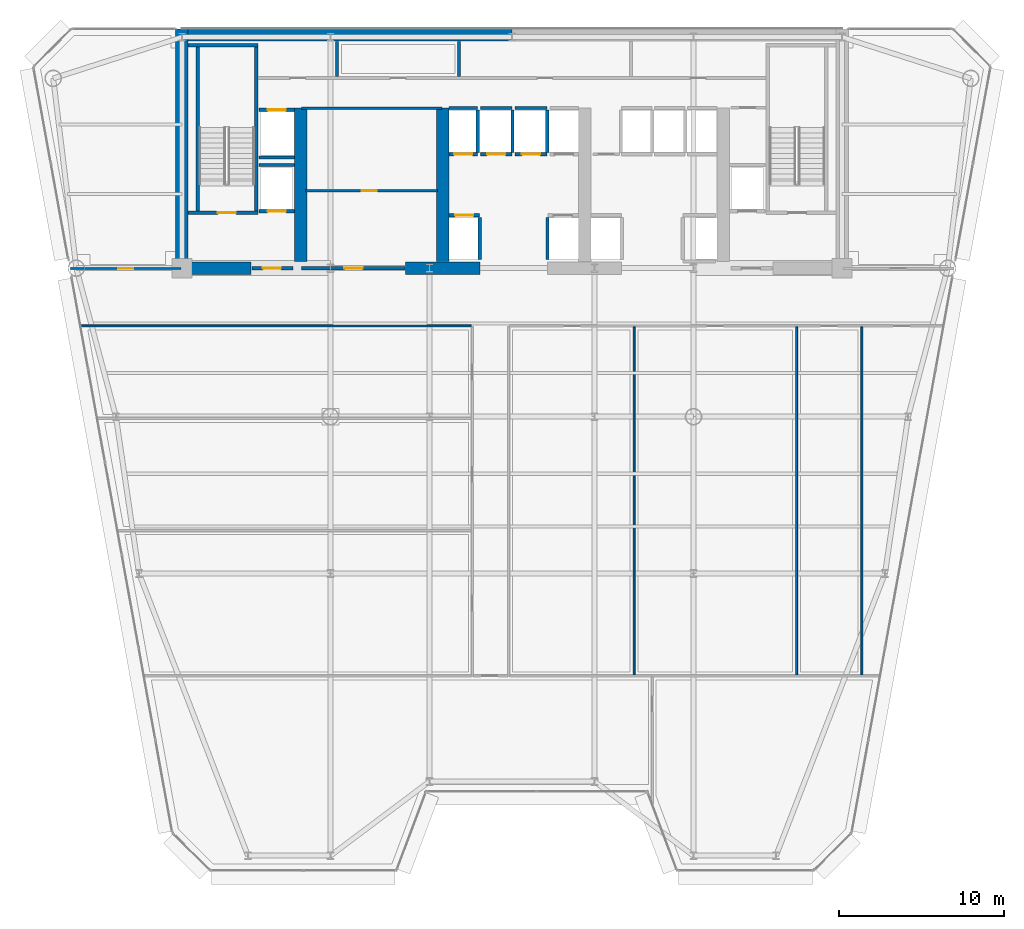
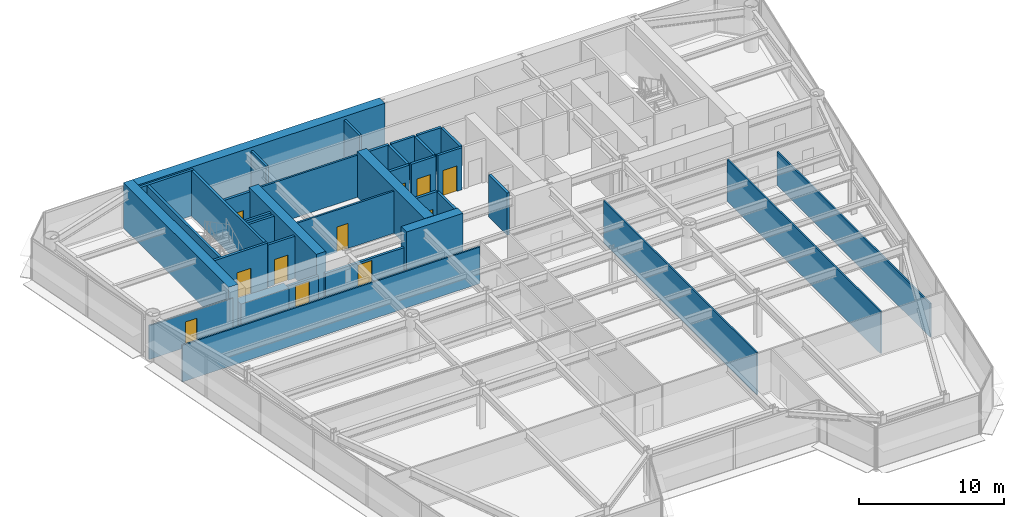
# One storey, part 8 of 14: 37 walls, 11 doors, 11 openings.
"""IFC4 building model written with IfcOpenShell, lengths in metres."""

from ifc_helpers import new_model, si_unit, direction, frame, frame_2d, origin, place, context, subcontext, project, spatial, rectangle, extrude, source, transform, mapped, material, layer, layer_set, type_object, element, fill, save


model = new_model("IFC4")

# Units and contexts
model_context = context("Model", 3, precision=1e-05, world=origin(), true_north=direction((0.0, 1.0)))
body_context = subcontext(model_context, "Body", "Model", "MODEL_VIEW")
ifc_project = project(units=[si_unit("LENGTHUNIT", "METRE"), si_unit("AREAUNIT", "SQUARE_METRE"), si_unit("VOLUMEUNIT", "CUBIC_METRE"), si_unit("PLANEANGLEUNIT", "RADIAN"), si_unit("MASSUNIT", "GRAM", prefix="KILO")], contexts=[model_context])

# Site, building, storey
site_placement = place(None, origin())
site = spatial("IfcSite", under=ifc_project, at=site_placement, CompositionType="ELEMENT")
building_placement = place(site_placement, origin())
building = spatial("IfcBuilding", under=site, at=building_placement, Name="Vaeldorn Concourse Tower", CompositionType="ELEMENT")
storey_placement = place(building_placement, frame((0.0, 0.0, 145.199951171875)))
storey = spatial("IfcBuildingStorey", under=building, at=storey_placement, Name="L37", CompositionType="ELEMENT", Elevation=145.199951171875)

# Walls
ifc_material_1 = material(Name="Concrete C60/75", Category="concrete")
ifc_layer_1 = layer(ifc_material_1, 0.75)
ifc_layer_set_1 = layer_set([ifc_layer_1], Name="Concrete C60/75")
wall_type_1 = type_object("IfcWallType", Name="WL-CORE-750", PredefinedType="SHEAR", material=ifc_layer_set_1)
wall_1_placement = place(storey_placement, frame((14.37890625, 50.625, 0.0), z_axis=(0.0, 0.0, 1.0), x_axis=(1.0, 0.0, 0.0)))
element("IfcWall", 1, at=wall_1_placement, inside=storey, type_object=wall_type_1, Name="Rear Core Shear Wall L37 N1", PredefinedType="SHEAR", context=body_context, shape_type="SweptSolid", body=[
    extrude(rectangle(XDim=19.619140625, YDim=0.75, at=frame_2d((9.8095703125, 0.0))), origin(), (0.0, 0.0, 1.0), 3.800048828125),
])
wall_2_placement = place(storey_placement, frame((14.0, 36.5, 0.0), z_axis=(0.0, 0.0, 1.0), x_axis=(0.0, 1.0, 0.0)))
element("IfcWall", 2, at=wall_2_placement, inside=storey, type_object=wall_type_1, Name="Rear Core Shear Wall L37 W1", PredefinedType="SHEAR", context=body_context, shape_type="SweptSolid", body=[
    extrude(rectangle(XDim=14.5, YDim=0.75, at=frame_2d((7.25, 0.0))), origin(), (0.0, 0.0, 1.0), 3.800048828125),
])
wall_3_placement = place(storey_placement, frame((14.39501953125, 36.5, 0.0), z_axis=(0.0, 0.0, 1.0), x_axis=(1.0, 0.0, 0.0)))
element("IfcWall", 3, at=wall_3_placement, inside=storey, type_object=wall_type_1, Name="Rear Core Shear Wall L37 S1", PredefinedType="SHEAR", context=body_context, shape_type="SweptSolid", body=[
    extrude(rectangle(XDim=3.804931640625, YDim=0.75, at=frame_2d((1.90234375, 0.0))), origin(), (0.0, 0.0, 1.0), 2.340087890625),
])
wall_4_placement = place(storey_placement, frame((27.550048828125, 36.5, 0.0), z_axis=(0.0, 0.0, 1.0), x_axis=(1.0, 0.0, 0.0)))
element("IfcWall", 4, at=wall_4_placement, inside=storey, type_object=wall_type_1, Name="Rear Core Shear Wall L37 S2", PredefinedType="SHEAR", context=body_context, shape_type="SweptSolid", body=[
    extrude(rectangle(XDim=4.5, YDim=0.75, at=frame_2d((2.25, 0.0))), origin(), (0.0, 0.0, 1.0), 3.800048828125),
])
for number, where, z_axis, x_axis, name in (
    (5, (21.199951171875, 36.89501953125, 0.0), (0.0, 0.0, 1.0), (0.0, 1.0, 0.0), "Rear Core Shear Wall L37 M1"),
    (6, (29.800048828125, 36.89501953125, 0.0), (0.0, 0.0, 1.0), (0.0, 1.0, 0.0), "Rear Core Shear Wall L37 M2"),
):
    element("IfcWall", number, at=place(storey_placement, frame(where, z_axis=z_axis, x_axis=x_axis)), inside=storey, type_object=wall_type_1, Name=name, PredefinedType="SHEAR", context=body_context, shape_type="SweptSolid", body=[
        extrude(rectangle(XDim=9.304931640625, YDim=0.75, at=frame_2d((4.65234375, 0.0))), origin(), (0.0, 0.0, 1.0), 3.800048828125),
    ])
ifc_material_2 = material(Name="Gypsum Board Partition", Category="gypsum")
ifc_layer_2 = layer(ifc_material_2, 0.1201171875)
ifc_layer_set_2 = layer_set([ifc_layer_2], Name="Gypsum Board Partition")
wall_type_2 = type_object("IfcWallType", Name="WL-PART-120", PredefinedType="PARTITIONING", material=ifc_layer_set_2)
wall_5_placement = place(storey_placement, frame((7.88720703125, 33.0, 0.0), z_axis=(0.0, 0.0, 1.0), x_axis=(1.0, 0.0, 0.0)))
element("IfcWall", 7, at=wall_5_placement, inside=storey, type_object=wall_type_2, Name="Interior Wall PW-L37-C2SW", PredefinedType="PARTITIONING", context=body_context, shape_type="SweptSolid", body=[
    extrude(rectangle(XDim=23.65283203125, YDim=0.1201171875, at=frame_2d((11.826416015625, 0.0))), origin(), (0.0, 0.0, 1.0), 3.080078125),
])

# Wall, opening, door
wall_6_placement = place(storey_placement, frame((7.26171875, 36.47998046875, 0.0), z_axis=(0.0, 0.0, 1.0), x_axis=(1.0, 0.0, 0.0)))
wall_6 = element("IfcWall", 8, at=wall_6_placement, inside=storey, type_object=wall_type_2, Name="Interior Wall PW-L37-NWS", PredefinedType="PARTITIONING", context=body_context, shape_type="SweptSolid", body=[
    extrude(rectangle(XDim=6.67822265625, YDim=0.1201171875, at=frame_2d((3.339111328125, 0.0))), origin(), (0.0, 0.0, 1.0), 2.830078125),
])
opening_1_placement = place(wall_6_placement, frame((2.888916015625, 0.0, 0.0)))
opening_1 = element("IfcOpeningElement", 9, at=opening_1_placement, cuts=wall_6, Name="Opening D-03", PredefinedType="OPENING", context=body_context, shape_type="SweptSolid", body=[
    extrude(rectangle(XDim=0.89990234375, YDim=2.14990234375, at=frame_2d((0.449951171875, 1.074951171875))), frame((0.0, 0.070068359375, 0.0), z_axis=(0.0, -1.0, 0.0), x_axis=(1.0, 0.0, 0.0)), (0.0, 0.0, 1.0), 0.14013671875),
])
ifc_material_3 = material(Name="Acoustic Bronze-Framed Glass Door", Category="glass")
door_type_1 = type_object("IfcDoorType", Name="DR-INT-900", OperationType="NOTDEFINED", PredefinedType="DOOR", material=ifc_material_3)
shared_shape_1 = source(origin(), body_context, "Body", "SweptSolid", [
    extrude(rectangle(XDim=0.89990234375, YDim=2.14990234375, at=frame_2d((0.449951171875, 1.074951171875))), frame((0.0, 0.02490234375, 0.0), z_axis=(0.0, -1.0, 0.0), x_axis=(1.0, 0.0, 0.0)), (0.0, 0.0, 1.0), 0.050048828125),
])
door_1_placement = place(opening_1_placement, origin())
door_1 = element("IfcDoor", 10, at=door_1_placement, inside=storey, type_object=door_type_1, Name="Interior Door DR-L37-NWC", OperationType="SINGLE_SWING_LEFT", OverallHeight=2.14990234375, OverallWidth=0.89990234375, PredefinedType="DOOR", context=body_context, shape_type="MappedRepresentation", body=[
    mapped(shared_shape_1, transform((0.0, 0.0, 0.0), scale=1.0)),
])
fill(opening_1, door_1)

# Walls
for number, where, z_axis, x_axis, name in (
    (11, (41.39990234375, 11.860107421875, 0.0), (0.0, 0.0, 1.0), (0.0, 1.0, 0.0), "Interior Wall PW-L37-Z2EX1"),
    (12, (51.25, 11.860107421875, 0.0), (0.0, 0.0, 1.0), (0.0, 1.0, 0.0), "Interior Wall PW-L37-Z2EX2"),
):
    element("IfcWall", number, at=place(storey_placement, frame(where, z_axis=z_axis, x_axis=x_axis)), inside=storey, type_object=wall_type_2, Name=name, PredefinedType="PARTITIONING", context=body_context, shape_type="SweptSolid", body=[
        extrude(rectangle(XDim=21.079833984375, YDim=0.1201171875, at=frame_2d((10.5400390625, 0.0))), origin(), (0.0, 0.0, 1.0), 3.5400390625),
    ])
wall_7_placement = place(storey_placement, frame((55.199951171875, 11.860107421875, 0.0), z_axis=(0.0, 0.0, 1.0), x_axis=(0.0, 1.0, 0.0)))
element("IfcWall", 13, at=wall_7_placement, inside=storey, type_object=wall_type_2, Name="Interior Wall PW-L37-Z2EX3", PredefinedType="PARTITIONING", context=body_context, shape_type="SweptSolid", body=[
    extrude(rectangle(XDim=21.079833984375, YDim=0.1201171875, at=frame_2d((10.5400390625, 0.0))), origin(), (0.0, 0.0, 1.0), 2.830078125),
])
ifc_layer_3 = layer(ifc_material_2, 0.14990234375)
ifc_layer_set_3 = layer_set([ifc_layer_3], Name="Gypsum Board Partition")
wall_type_3 = type_object("IfcWallType", Name="WL-PART-150", PredefinedType="PARTITIONING", material=ifc_layer_set_3)
wall_8_placement = place(storey_placement, frame((21.25, 46.199951171875, 0.0), z_axis=(0.0, 0.0, 1.0), x_axis=(1.0, 0.0, 0.0)))
element("IfcWall", 14, at=wall_8_placement, inside=storey, type_object=wall_type_3, Name="Interior Wall CW-L37-R1N", PredefinedType="PARTITIONING", context=body_context, shape_type="SweptSolid", body=[
    extrude(rectangle(XDim=8.5, YDim=0.14990234375, at=frame_2d((4.25, 0.0))), origin(), (0.0, 0.0, 1.0), 3.5400390625),
])

# Wall, opening, door
wall_9_placement = place(storey_placement, frame((21.5, 41.199951171875, 0.0), z_axis=(0.0, 0.0, 1.0), x_axis=(1.0, 0.0, 0.0)))
wall_9 = element("IfcWall", 15, at=wall_9_placement, inside=storey, type_object=wall_type_3, Name="Interior Wall CW-L37-R1M", PredefinedType="PARTITIONING", context=body_context, shape_type="SweptSolid", body=[
    extrude(rectangle(XDim=8.0, YDim=0.14990234375, at=frame_2d((4.0, 0.0))), origin(), (0.0, 0.0, 1.0), 3.5400390625),
])
opening_2_placement = place(wall_9_placement, frame((3.39990234375, 0.0, 0.0)))
opening_2 = element("IfcOpeningElement", 16, at=opening_2_placement, cuts=wall_9, Name="Opening D-02", PredefinedType="OPENING", context=body_context, shape_type="SweptSolid", body=[
    extrude(rectangle(XDim=0.89990234375, YDim=2.10009765625, at=frame_2d((0.449951171875, 1.050048828125))), frame((0.0, 0.0849609375, 0.0), z_axis=(0.0, -1.0, 0.0), x_axis=(1.0, 0.0, 0.0)), (0.0, 0.0, 1.0), 0.169921875),
])
ifc_material_4 = material(Name="Fire-Rated Timber Leaf", Category="wood")
door_type_2 = type_object("IfcDoorType", Name="DR-FD30-900", OperationType="NOTDEFINED", PredefinedType="DOOR", material=ifc_material_4)
shared_shape_2 = source(origin(), body_context, "Body", "SweptSolid", [
    extrude(rectangle(XDim=0.89990234375, YDim=2.10009765625, at=frame_2d((0.449951171875, 1.050048828125))), frame((0.0, 0.02490234375, 0.0), z_axis=(0.0, -1.0, 0.0), x_axis=(1.0, 0.0, 0.0)), (0.0, 0.0, 1.0), 0.050048828125),
])
door_2_placement = place(opening_2_placement, origin())
door_2 = element("IfcDoor", 17, at=door_2_placement, inside=storey, type_object=door_type_2, Name="Interior Door DR-L37-R1M", OperationType="SINGLE_SWING_RIGHT", OverallHeight=2.10009765625, OverallWidth=0.89990234375, PredefinedType="DOOR", context=body_context, shape_type="MappedRepresentation", body=[
    mapped(shared_shape_2, transform((0.0, 0.0, 0.0), scale=1.0)),
])
fill(opening_2, door_2)

# Walls
ifc_layer_4 = layer(ifc_material_2, 0.179931640625)
ifc_layer_set_4 = layer_set([ifc_layer_4], Name="Gypsum Board Partition")
wall_type_4 = type_object("IfcWallType", Name="WL-PLUMB-180", PredefinedType="PLUMBINGWALL", material=ifc_layer_set_4)
for number, where, z_axis, x_axis, name in (
    (18, (23.39990234375, 48.10009765625, 0.0), (0.0, 0.0, 1.0), (0.0, 1.0, 0.0), "Interior Wall CW-L37-NDIV1"),
    (19, (30.800048828125, 48.10009765625, 0.0), (0.0, 0.0, 1.0), (0.0, 1.0, 0.0), "Interior Wall CW-L37-NDIV2"),
):
    element("IfcWall", number, at=place(storey_placement, frame(where, z_axis=z_axis, x_axis=x_axis)), inside=storey, type_object=wall_type_4, Name=name, PredefinedType="PLUMBINGWALL", context=body_context, shape_type="SweptSolid", body=[
        extrude(rectangle(XDim=2.1298828125, YDim=0.179931640625, at=frame_2d((1.06494140625, 0.0))), origin(), (0.0, 0.0, 1.0), 3.5400390625),
    ])

# Wall, opening, door
ifc_material_5 = material(Name="Concrete C50/60", Category="concrete")
ifc_layer_5 = layer(ifc_material_5, 0.199951171875)
ifc_layer_set_5 = layer_set([ifc_layer_5], Name="Concrete C50/60")
wall_type_5 = type_object("IfcWallType", Name="WL-SHAFT-200", PredefinedType="SOLIDWALL", material=ifc_layer_set_5)
wall_10_placement = place(storey_placement, frame((14.375, 39.85009765625, 0.0), z_axis=(0.0, 0.0, 1.0), x_axis=(1.0, 0.0, 0.0)))
wall_10 = element("IfcWall", 20, at=wall_10_placement, inside=storey, type_object=wall_type_5, Name="Stair Shaft Wall CW-L37-ST-1-S", PredefinedType="SOLIDWALL", context=body_context, shape_type="SweptSolid", body=[
    extrude(rectangle(XDim=4.22509765625, YDim=0.199951171875, at=frame_2d((2.112548828125, 0.0))), origin(), (0.0, 0.0, 1.0), 3.800048828125),
])
opening_3_placement = place(wall_10_placement, frame((1.800048828125, 0.0, 0.0)))
opening_3 = element("IfcOpeningElement", 21, at=opening_3_placement, cuts=wall_10, Name="Opening D-01", PredefinedType="OPENING", context=body_context, shape_type="SweptSolid", body=[
    extrude(rectangle(XDim=1.10009765625, YDim=2.14990234375, at=frame_2d((0.550048828125, 1.074951171875))), frame((0.0, 0.10986328125, 0.0), z_axis=(0.0, -1.0, 0.0), x_axis=(1.0, 0.0, 0.0)), (0.0, 0.0, 1.0), 0.219970703125),
])
ifc_material_6 = material(Name="Fire-Rated Timber and Steel Leaf", Category="steel")
door_type_3 = type_object("IfcDoorType", Name="DR-FD60-1100", OperationType="NOTDEFINED", PredefinedType="DOOR", material=ifc_material_6)
shared_shape_3 = source(origin(), body_context, "Body", "SweptSolid", [
    extrude(rectangle(XDim=1.10009765625, YDim=2.14990234375, at=frame_2d((0.550048828125, 1.074951171875))), frame((0.0, 0.02490234375, 0.0), z_axis=(0.0, -1.0, 0.0), x_axis=(1.0, 0.0, 0.0)), (0.0, 0.0, 1.0), 0.050048828125),
])
door_3_placement = place(opening_3_placement, origin())
door_3 = element("IfcDoor", 22, at=door_3_placement, inside=storey, type_object=door_type_3, Name="Interior Door DR-L37-ST-1", OperationType="SINGLE_SWING_LEFT", OverallHeight=2.14990234375, OverallWidth=1.10009765625, PredefinedType="DOOR", context=body_context, shape_type="MappedRepresentation", body=[
    mapped(shared_shape_3, transform((0.0, 0.0, 0.0), scale=1.0)),
])
fill(opening_3, door_3)

# Walls
wall_11_placement = place(storey_placement, frame((14.375, 50.0, 0.0), z_axis=(0.0, 0.0, 1.0), x_axis=(1.0, 0.0, 0.0)))
element("IfcWall", 23, at=wall_11_placement, inside=storey, type_object=wall_type_5, Name="Stair Shaft Wall CW-L37-ST-1-N", PredefinedType="SOLIDWALL", context=body_context, shape_type="SweptSolid", body=[
    extrude(rectangle(XDim=4.22509765625, YDim=0.199951171875, at=frame_2d((2.112548828125, 0.0))), origin(), (0.0, 0.0, 1.0), 3.800048828125),
])
for number, where, z_axis, x_axis, name in (
    (24, (14.949951171875, 39.9599609375, 0.0), (0.0, 0.0, 1.0), (0.0, 1.0, 0.0), "Stair Shaft Wall CW-L37-ST-1-W"),
    (25, (18.5, 39.9599609375, 0.0), (0.0, 0.0, 1.0), (0.0, 1.0, 0.0), "Stair Shaft Wall CW-L37-ST-1-E"),
):
    element("IfcWall", number, at=place(storey_placement, frame(where, z_axis=z_axis, x_axis=x_axis)), inside=storey, type_object=wall_type_5, Name=name, PredefinedType="SOLIDWALL", context=body_context, shape_type="SweptSolid", body=[
        extrude(rectangle(XDim=9.929931640625, YDim=0.199951171875, at=frame_2d((4.96484375, 0.0))), origin(), (0.0, 0.0, 1.0), 3.800048828125),
    ])

# Wall, opening, door
wall_12_placement = place(storey_placement, frame((18.25, 36.5, 0.0), z_axis=(0.0, 0.0, 1.0), x_axis=(1.0, 0.0, 0.0)))
wall_12 = element("IfcWall", 26, at=wall_12_placement, inside=storey, type_object=wall_type_5, Name="Interior Wall CW-L37-FF1S", PredefinedType="SOLIDWALL", context=body_context, shape_type="SweptSolid", body=[
    extrude(rectangle(XDim=2.469970703125, YDim=0.199951171875, at=frame_2d((1.23486328125, 0.0))), origin(), (0.0, 0.0, 1.0), 2.330078125),
])
opening_4_placement = place(wall_12_placement, frame((0.64990234375, 0.0, 0.0)))
opening_4 = element("IfcOpeningElement", 27, at=opening_4_placement, cuts=wall_12, Name="Opening D-01", PredefinedType="OPENING", context=body_context, shape_type="SweptSolid", body=[
    extrude(rectangle(XDim=1.10009765625, YDim=2.14990234375, at=frame_2d((0.550048828125, 1.074951171875))), frame((0.0, 0.10986328125, 0.0), z_axis=(0.0, -1.0, 0.0), x_axis=(1.0, 0.0, 0.0)), (0.0, 0.0, 1.0), 0.219970703125),
])
door_4_placement = place(opening_4_placement, origin())
door_4 = element("IfcDoor", 28, at=door_4_placement, inside=storey, type_object=door_type_3, Name="Interior Door DR-L37-FF1E", OperationType="SINGLE_SWING_RIGHT", OverallHeight=2.14990234375, OverallWidth=1.10009765625, PredefinedType="DOOR", context=body_context, shape_type="MappedRepresentation", body=[
    mapped(shared_shape_3, transform((0.0, 0.0, 0.0), scale=1.0)),
])
fill(opening_4, door_4)

wall_13_placement = place(storey_placement, frame((30.18505859375, 39.699951171875, 0.0), z_axis=(0.0, 0.0, 1.0), x_axis=(1.0, 0.0, 0.0)))
wall_13 = element("IfcWall", 29, at=wall_13_placement, inside=storey, type_object=wall_type_5, Name="Interior Wall CW-L37-LF-LF-07", PredefinedType="SOLIDWALL", context=body_context, shape_type="SweptSolid", body=[
    extrude(rectangle(XDim=1.844970703125, YDim=0.199951171875, at=frame_2d((0.92236328125, 0.0))), origin(), (0.0, 0.0, 1.0), 3.5400390625),
])
opening_5_placement = place(wall_13_placement, frame((0.373046875, 0.0, 0.0)))
opening_5 = element("IfcOpeningElement", 30, at=opening_5_placement, cuts=wall_13, Name="Opening LD-1", PredefinedType="OPENING", context=body_context, shape_type="SweptSolid", body=[
    extrude(rectangle(XDim=1.10009765625, YDim=2.14990234375, at=frame_2d((0.550048828125, 1.074951171875))), frame((0.0, 0.10986328125, 0.0), z_axis=(0.0, -1.0, 0.0), x_axis=(1.0, 0.0, 0.0)), (0.0, 0.0, 1.0), 0.219970703125),
])
ifc_material_7 = material(Name="Anodised Bronze Aluminium", Category="aluminium")
door_type_4 = type_object("IfcDoorType", Name="DR-LIFT-SLIDE-1100", OperationType="DOUBLE_DOOR_SLIDING", PredefinedType="DOOR", material=ifc_material_7)
door_5_placement = place(opening_5_placement, origin())
door_5 = element("IfcDoor", 31, at=door_5_placement, inside=storey, type_object=door_type_4, Name="Lift Landing Door LD-L37-LF-07", OperationType="DOUBLE_DOOR_SLIDING", OverallHeight=2.14990234375, OverallWidth=1.10009765625, PredefinedType="DOOR", context=body_context, shape_type="MappedRepresentation", body=[
    mapped(shared_shape_3, transform((0.0, 0.0, 0.0), scale=1.0)),
])
fill(opening_5, door_5)

# Walls
for number, where, z_axis, x_axis, name in (
    (32, (32.050048828125, 37.02001953125, 0.0), (0.0, 0.0, 1.0), (0.0, 1.0, 0.0), "Interior Wall CW-L37-LFE-LF-07"),
    (33, (36.14990234375, 37.02001953125, 0.0), (0.0, 0.0, 1.0), (0.0, 1.0, 0.0), "Interior Wall CW-L37-LFW-LF-08"),
):
    element("IfcWall", number, at=place(storey_placement, frame(where, z_axis=z_axis, x_axis=x_axis)), inside=storey, type_object=wall_type_5, Name=name, PredefinedType="SOLIDWALL", context=body_context, shape_type="SweptSolid", body=[
        extrude(rectangle(XDim=2.56005859375, YDim=0.199951171875, at=frame_2d((1.280029296875, 0.0))), origin(), (0.0, 0.0, 1.0), 3.5400390625),
    ])

# Wall, opening, door
wall_14_placement = place(storey_placement, frame((30.18505859375, 43.39990234375, 0.0), z_axis=(0.0, 0.0, 1.0), x_axis=(1.0, 0.0, 0.0)))
wall_14 = element("IfcWall", 34, at=wall_14_placement, inside=storey, type_object=wall_type_5, Name="Interior Wall CW-L37-LF-LF-09", PredefinedType="SOLIDWALL", context=body_context, shape_type="SweptSolid", body=[
    extrude(rectangle(XDim=1.724853515625, YDim=0.199951171875, at=frame_2d((0.8623046875, 0.0))), origin(), (0.0, 0.0, 1.0), 3.5400390625),
])
opening_6_placement = place(wall_14_placement, frame((0.31298828125, 0.0, 0.0)))
opening_6 = element("IfcOpeningElement", 35, at=opening_6_placement, cuts=wall_14, Name="Opening LD-1", PredefinedType="OPENING", context=body_context, shape_type="SweptSolid", body=[
    extrude(rectangle(XDim=1.10009765625, YDim=2.14990234375, at=frame_2d((0.550048828125, 1.074951171875))), frame((0.0, 0.10986328125, 0.0), z_axis=(0.0, -1.0, 0.0), x_axis=(1.0, 0.0, 0.0)), (0.0, 0.0, 1.0), 0.219970703125),
])
door_6_placement = place(opening_6_placement, origin())
door_6 = element("IfcDoor", 36, at=door_6_placement, inside=storey, type_object=door_type_4, Name="Lift Landing Door LD-L37-LF-09", OperationType="DOUBLE_DOOR_SLIDING", OverallHeight=2.14990234375, OverallWidth=1.10009765625, PredefinedType="DOOR", context=body_context, shape_type="MappedRepresentation", body=[
    mapped(shared_shape_3, transform((0.0, 0.0, 0.0), scale=1.0)),
])
fill(opening_6, door_6)

# Walls
wall_15_placement = place(storey_placement, frame((30.18505859375, 46.199951171875, 0.0), z_axis=(0.0, 0.0, 1.0), x_axis=(1.0, 0.0, 0.0)))
element("IfcWall", 37, at=wall_15_placement, inside=storey, type_object=wall_type_5, Name="Interior Wall CW-L37-LFB-LF-09", PredefinedType="SOLIDWALL", context=body_context, shape_type="SweptSolid", body=[
    extrude(rectangle(XDim=1.724853515625, YDim=0.199951171875, at=frame_2d((0.8623046875, 0.0))), origin(), (0.0, 0.0, 1.0), 3.5400390625),
])
wall_16_placement = place(storey_placement, frame((31.929931640625, 43.52001953125, 0.0), z_axis=(0.0, 0.0, 1.0), x_axis=(0.0, 1.0, 0.0)))
element("IfcWall", 38, at=wall_16_placement, inside=storey, type_object=wall_type_5, Name="Interior Wall CW-L37-LFE-LF-09", PredefinedType="SOLIDWALL", context=body_context, shape_type="SweptSolid", body=[
    extrude(rectangle(XDim=2.56005859375, YDim=0.199951171875, at=frame_2d((1.280029296875, 0.0))), origin(), (0.0, 0.0, 1.0), 3.5400390625),
])

# Wall, opening, door
wall_17_placement = place(storey_placement, frame((32.090087890625, 43.39990234375, 0.0), z_axis=(0.0, 0.0, 1.0), x_axis=(1.0, 0.0, 0.0)))
wall_17 = element("IfcWall", 39, at=wall_17_placement, inside=storey, type_object=wall_type_5, Name="Interior Wall CW-L37-LF-LF-10", PredefinedType="SOLIDWALL", context=body_context, shape_type="SweptSolid", body=[
    extrude(rectangle(XDim=1.919921875, YDim=0.199951171875, at=frame_2d((0.9599609375, 0.0))), origin(), (0.0, 0.0, 1.0), 3.5400390625),
])
opening_7_placement = place(wall_17_placement, frame((0.409912109375, 0.0, 0.0)))
opening_7 = element("IfcOpeningElement", 40, at=opening_7_placement, cuts=wall_17, Name="Opening LD-1", PredefinedType="OPENING", context=body_context, shape_type="SweptSolid", body=[
    extrude(rectangle(XDim=1.10009765625, YDim=2.14990234375, at=frame_2d((0.550048828125, 1.074951171875))), frame((0.0, 0.10986328125, 0.0), z_axis=(0.0, -1.0, 0.0), x_axis=(1.0, 0.0, 0.0)), (0.0, 0.0, 1.0), 0.219970703125),
])
door_7_placement = place(opening_7_placement, origin())
door_7 = element("IfcDoor", 41, at=door_7_placement, inside=storey, type_object=door_type_4, Name="Lift Landing Door LD-L37-LF-10", OperationType="DOUBLE_DOOR_SLIDING", OverallHeight=2.14990234375, OverallWidth=1.10009765625, PredefinedType="DOOR", context=body_context, shape_type="MappedRepresentation", body=[
    mapped(shared_shape_3, transform((0.0, 0.0, 0.0), scale=1.0)),
])
fill(opening_7, door_7)

# Walls
wall_18_placement = place(storey_placement, frame((32.090087890625, 46.199951171875, 0.0), z_axis=(0.0, 0.0, 1.0), x_axis=(1.0, 0.0, 0.0)))
element("IfcWall", 42, at=wall_18_placement, inside=storey, type_object=wall_type_5, Name="Interior Wall CW-L37-LFB-LF-10", PredefinedType="SOLIDWALL", context=body_context, shape_type="SweptSolid", body=[
    extrude(rectangle(XDim=1.919921875, YDim=0.199951171875, at=frame_2d((0.9599609375, 0.0))), origin(), (0.0, 0.0, 1.0), 3.5400390625),
])
wall_19_placement = place(storey_placement, frame((34.030029296875, 43.52001953125, 0.0), z_axis=(0.0, 0.0, 1.0), x_axis=(0.0, 1.0, 0.0)))
element("IfcWall", 43, at=wall_19_placement, inside=storey, type_object=wall_type_5, Name="Interior Wall CW-L37-LFE-LF-10", PredefinedType="SOLIDWALL", context=body_context, shape_type="SweptSolid", body=[
    extrude(rectangle(XDim=2.56005859375, YDim=0.199951171875, at=frame_2d((1.280029296875, 0.0))), origin(), (0.0, 0.0, 1.0), 3.5400390625),
])

# Wall, opening, door
wall_20_placement = place(storey_placement, frame((34.18994140625, 43.39990234375, 0.0), z_axis=(0.0, 0.0, 1.0), x_axis=(1.0, 0.0, 0.0)))
wall_20 = element("IfcWall", 44, at=wall_20_placement, inside=storey, type_object=wall_type_5, Name="Interior Wall CW-L37-LF-LF-11", PredefinedType="SOLIDWALL", context=body_context, shape_type="SweptSolid", body=[
    extrude(rectangle(XDim=1.920166015625, YDim=0.199951171875, at=frame_2d((0.9599609375, 0.0))), origin(), (0.0, 0.0, 1.0), 3.5400390625),
])
opening_8_placement = place(wall_20_placement, frame((0.409912109375, 0.0, 0.0)))
opening_8 = element("IfcOpeningElement", 45, at=opening_8_placement, cuts=wall_20, Name="Opening LD-1", PredefinedType="OPENING", context=body_context, shape_type="SweptSolid", body=[
    extrude(rectangle(XDim=1.10009765625, YDim=2.14990234375, at=frame_2d((0.550048828125, 1.074951171875))), frame((0.0, 0.10986328125, 0.0), z_axis=(0.0, -1.0, 0.0), x_axis=(1.0, 0.0, 0.0)), (0.0, 0.0, 1.0), 0.219970703125),
])
door_8_placement = place(opening_8_placement, origin())
door_8 = element("IfcDoor", 46, at=door_8_placement, inside=storey, type_object=door_type_4, Name="Lift Landing Door LD-L37-LF-11", OperationType="DOUBLE_DOOR_SLIDING", OverallHeight=2.14990234375, OverallWidth=1.10009765625, PredefinedType="DOOR", context=body_context, shape_type="MappedRepresentation", body=[
    mapped(shared_shape_3, transform((0.0, 0.0, 0.0), scale=1.0)),
])
fill(opening_8, door_8)

# Walls
wall_21_placement = place(storey_placement, frame((34.18994140625, 46.199951171875, 0.0), z_axis=(0.0, 0.0, 1.0), x_axis=(1.0, 0.0, 0.0)))
element("IfcWall", 47, at=wall_21_placement, inside=storey, type_object=wall_type_5, Name="Interior Wall CW-L37-LFB-LF-11", PredefinedType="SOLIDWALL", context=body_context, shape_type="SweptSolid", body=[
    extrude(rectangle(XDim=1.920166015625, YDim=0.199951171875, at=frame_2d((0.9599609375, 0.0))), origin(), (0.0, 0.0, 1.0), 3.5400390625),
])
wall_22_placement = place(storey_placement, frame((36.1298828125, 43.52001953125, 0.0), z_axis=(0.0, 0.0, 1.0), x_axis=(0.0, 1.0, 0.0)))
element("IfcWall", 48, at=wall_22_placement, inside=storey, type_object=wall_type_5, Name="Interior Wall CW-L37-LFE-LF-11", PredefinedType="SOLIDWALL", context=body_context, shape_type="SweptSolid", body=[
    extrude(rectangle(XDim=2.56005859375, YDim=0.199951171875, at=frame_2d((1.280029296875, 0.0))), origin(), (0.0, 0.0, 1.0), 3.5400390625),
])

# Wall, opening, door
wall_23_placement = place(storey_placement, frame((18.669921875, 46.10009765625, 0.0), z_axis=(0.0, 0.0, 1.0), x_axis=(1.0, 0.0, 0.0)))
wall_23 = element("IfcWall", 49, at=wall_23_placement, inside=storey, type_object=wall_type_5, Name="Interior Wall CW-L37-LF-LF-SV1", PredefinedType="SOLIDWALL", context=body_context, shape_type="SweptSolid", body=[
    extrude(rectangle(XDim=2.14501953125, YDim=0.199951171875, at=frame_2d((1.072509765625, 0.0))), origin(), (0.0, 0.0, 1.0), 3.5400390625),
])
opening_9_placement = place(wall_23_placement, frame((0.52197265625, 0.0, 0.0)))
opening_9 = element("IfcOpeningElement", 50, at=opening_9_placement, cuts=wall_23, Name="Opening LD-1", PredefinedType="OPENING", context=body_context, shape_type="SweptSolid", body=[
    extrude(rectangle(XDim=1.10009765625, YDim=2.14990234375, at=frame_2d((0.550048828125, 1.074951171875))), frame((0.0, 0.10986328125, 0.0), z_axis=(0.0, -1.0, 0.0), x_axis=(1.0, 0.0, 0.0)), (0.0, 0.0, 1.0), 0.219970703125),
])
door_9_placement = place(opening_9_placement, origin())
door_9 = element("IfcDoor", 51, at=door_9_placement, inside=storey, type_object=door_type_4, Name="Lift Landing Door LD-L37-LF-SV1", OperationType="DOUBLE_DOOR_SLIDING", OverallHeight=2.14990234375, OverallWidth=1.10009765625, PredefinedType="DOOR", context=body_context, shape_type="MappedRepresentation", body=[
    mapped(shared_shape_3, transform((0.0, 0.0, 0.0), scale=1.0)),
])
fill(opening_9, door_9)

# Wall
wall_24_placement = place(storey_placement, frame((18.669921875, 43.199951171875, 0.0), z_axis=(0.0, 0.0, 1.0), x_axis=(1.0, 0.0, 0.0)))
element("IfcWall", 52, at=wall_24_placement, inside=storey, type_object=wall_type_5, Name="Interior Wall CW-L37-LFB-LF-SV1", PredefinedType="SOLIDWALL", context=body_context, shape_type="SweptSolid", body=[
    extrude(rectangle(XDim=2.14501953125, YDim=0.199951171875, at=frame_2d((1.072509765625, 0.0))), origin(), (0.0, 0.0, 1.0), 3.5400390625),
])

# Wall, opening, door
wall_25_placement = place(storey_placement, frame((18.669921875, 39.949951171875, 0.0), z_axis=(0.0, 0.0, 1.0), x_axis=(1.0, 0.0, 0.0)))
wall_25 = element("IfcWall", 53, at=wall_25_placement, inside=storey, type_object=wall_type_5, Name="Interior Wall CW-L37-LF-LF-FF1", PredefinedType="SOLIDWALL", context=body_context, shape_type="SweptSolid", body=[
    extrude(rectangle(XDim=2.14501953125, YDim=0.199951171875, at=frame_2d((1.072509765625, 0.0))), origin(), (0.0, 0.0, 1.0), 3.5400390625),
])
opening_10_placement = place(wall_25_placement, frame((0.52197265625, 0.0, 0.0)))
opening_10 = element("IfcOpeningElement", 54, at=opening_10_placement, cuts=wall_25, Name="Opening LD-1", PredefinedType="OPENING", context=body_context, shape_type="SweptSolid", body=[
    extrude(rectangle(XDim=1.10009765625, YDim=2.14990234375, at=frame_2d((0.550048828125, 1.074951171875))), frame((0.0, 0.10986328125, 0.0), z_axis=(0.0, -1.0, 0.0), x_axis=(1.0, 0.0, 0.0)), (0.0, 0.0, 1.0), 0.219970703125),
])
door_10_placement = place(opening_10_placement, origin())
door_10 = element("IfcDoor", 55, at=door_10_placement, inside=storey, type_object=door_type_4, Name="Lift Landing Door LD-L37-LF-FF1", OperationType="DOUBLE_DOOR_SLIDING", OverallHeight=2.14990234375, OverallWidth=1.10009765625, PredefinedType="DOOR", context=body_context, shape_type="MappedRepresentation", body=[
    mapped(shared_shape_3, transform((0.0, 0.0, 0.0), scale=1.0)),
])
fill(opening_10, door_10)

# Wall
wall_26_placement = place(storey_placement, frame((18.669921875, 42.75, 0.0), z_axis=(0.0, 0.0, 1.0), x_axis=(1.0, 0.0, 0.0)))
element("IfcWall", 56, at=wall_26_placement, inside=storey, type_object=wall_type_5, Name="Interior Wall CW-L37-LFB-LF-FF1", PredefinedType="SOLIDWALL", context=body_context, shape_type="SweptSolid", body=[
    extrude(rectangle(XDim=2.14501953125, YDim=0.199951171875, at=frame_2d((1.072509765625, 0.0))), origin(), (0.0, 0.0, 1.0), 3.5400390625),
])

# Wall, opening, door
wall_27_placement = place(storey_placement, frame((21.25, 36.5, 0.0), z_axis=(0.0, 0.0, 1.0), x_axis=(1.0, 0.0, 0.0)))
wall_27 = element("IfcWall", 57, at=wall_27_placement, inside=storey, type_object=wall_type_5, Name="Interior Wall CW-L37-R1S", PredefinedType="SOLIDWALL", context=body_context, shape_type="SweptSolid", body=[
    extrude(rectangle(XDim=6.27001953125, YDim=0.199951171875, at=frame_2d((3.135009765625, 0.0))), origin(), (0.0, 0.0, 1.0), 2.330078125),
])
opening_11_placement = place(wall_27_placement, frame((2.60009765625, 0.0, 0.0)))
opening_11 = element("IfcOpeningElement", 58, at=opening_11_placement, cuts=wall_27, Name="Opening D-01", PredefinedType="OPENING", context=body_context, shape_type="SweptSolid", body=[
    extrude(rectangle(XDim=1.10009765625, YDim=2.14990234375, at=frame_2d((0.550048828125, 1.074951171875))), frame((0.0, 0.10986328125, 0.0), z_axis=(0.0, -1.0, 0.0), x_axis=(1.0, 0.0, 0.0)), (0.0, 0.0, 1.0), 0.219970703125),
])
door_11_placement = place(opening_11_placement, origin())
door_11 = element("IfcDoor", 59, at=door_11_placement, inside=storey, type_object=door_type_3, Name="Interior Door DR-L37-R1S", OperationType="SINGLE_SWING_LEFT", OverallHeight=2.14990234375, OverallWidth=1.10009765625, PredefinedType="DOOR", context=body_context, shape_type="MappedRepresentation", body=[
    mapped(shared_shape_3, transform((0.0, 0.0, 0.0), scale=1.0)),
])
fill(opening_11, door_11)

save(model, "model.ifc")
